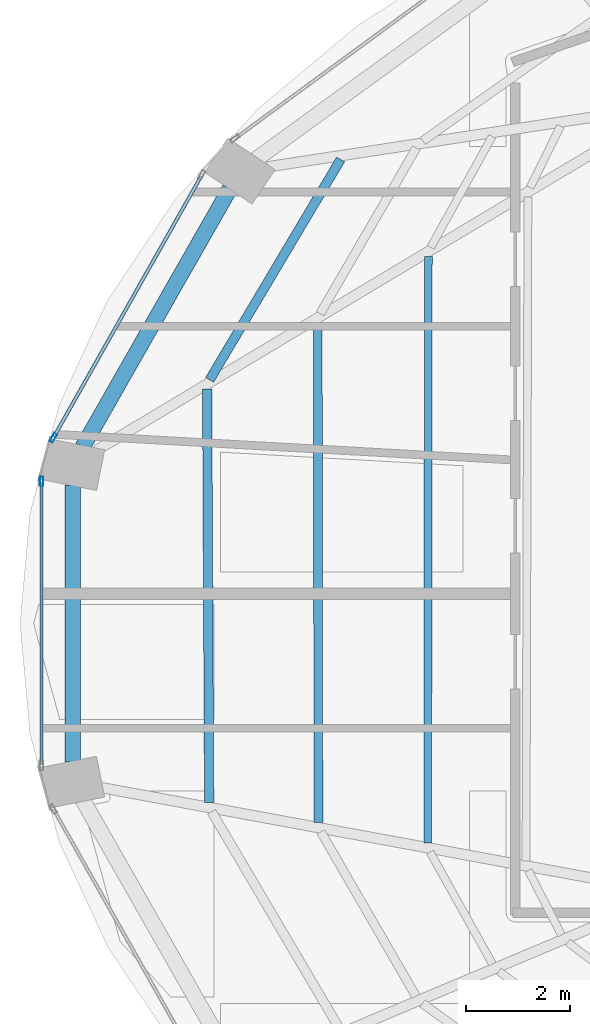
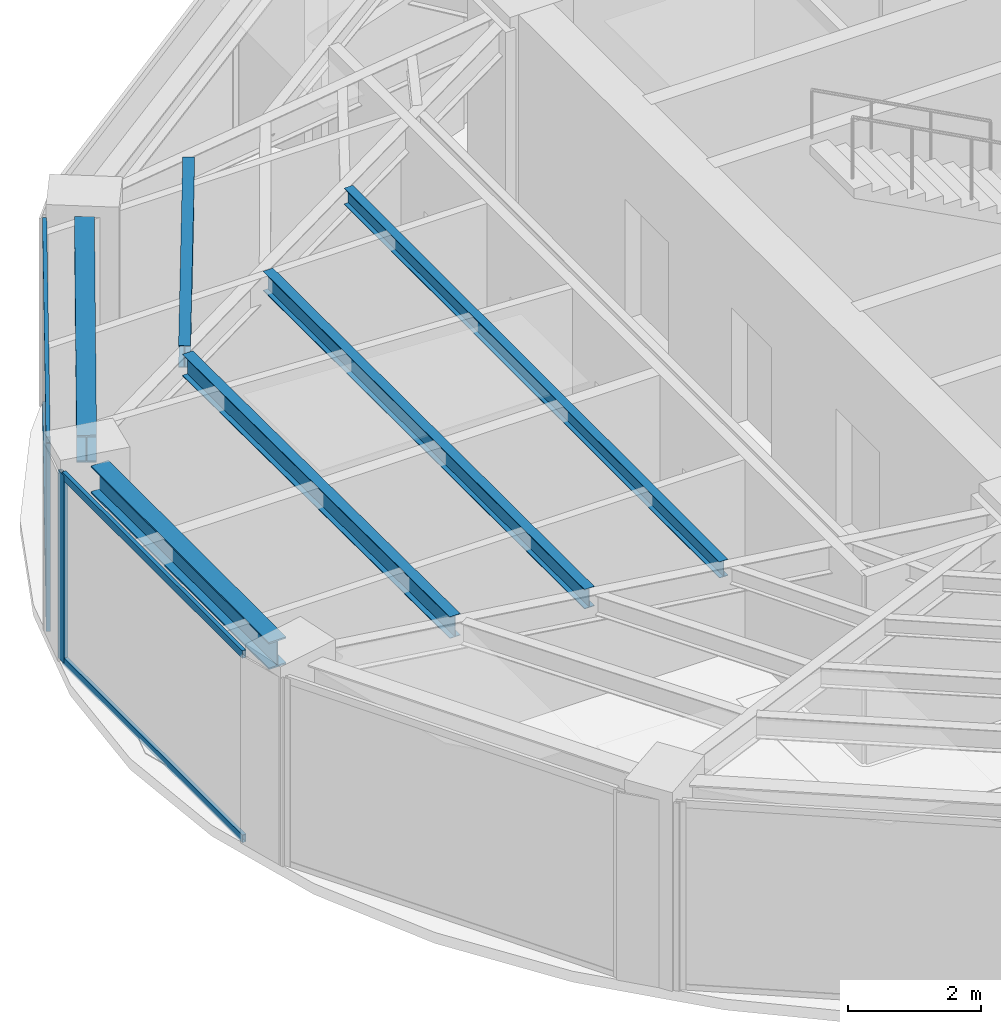
# One storey, part 8 of 23: 6 beams, 6 members, 2 elements without a shape of their own.
"""IFC4 building model written with IfcOpenShell, lengths in metres."""

from ifc_helpers import new_model, si_unit, direction, frame, origin, origin_2d, place, context, subcontext, project, spatial, hollow_rectangle, i_section, extrude, material, layer, layer_set, material_profile, profile_set, type_object, element, aggregate, save


model = new_model("IFC4")

# Units and contexts
model_context = context("Model", 3, precision=1e-05, world=origin(), true_north=direction((0.0, 1.0)))
body_context = subcontext(model_context, "Body", "Model", "MODEL_VIEW")
ifc_project = project(units=[si_unit("LENGTHUNIT", "METRE"), si_unit("AREAUNIT", "SQUARE_METRE"), si_unit("VOLUMEUNIT", "CUBIC_METRE"), si_unit("PLANEANGLEUNIT", "RADIAN"), si_unit("MASSUNIT", "GRAM", prefix="KILO")], contexts=[model_context])

# Site, building, storey
site_placement = place(None, origin())
site = spatial("IfcSite", under=ifc_project, at=site_placement, CompositionType="ELEMENT")
building_placement = place(site_placement, origin())
building = spatial("IfcBuilding", under=site, at=building_placement, Name="Lazwardi Medical Tower", CompositionType="ELEMENT")
storey_placement = place(building_placement, frame((0.0, 0.0, 209.424072265625)))
storey = spatial("IfcBuildingStorey", under=building, at=storey_placement, Name="L54", CompositionType="ELEMENT", Elevation=209.424072265625)

# Beams
ifc_material_1 = material(Name="Steel S355", Category="steel")
ifc_material_profile_1 = material_profile(ifc_material_1, i_section(OverallWidth=0.300048828125, OverallDepth=0.5, WebThickness=0.014404296875, FlangeThickness=0.028076171875, at=origin_2d()), Name="HEB 500")
ifc_profile_set_1 = profile_set([ifc_material_profile_1], Name="Steel S355")
beam_type_1 = type_object("IfcBeamType", Name="BM-RB-Z4", PredefinedType="BEAM", material=ifc_profile_set_1)
beam_1_placement = place(storey_placement, frame((17.84716796875, 33.983642578125, 3.197998046875), z_axis=(-0.495125273299, -0.868821594886, 0.0), x_axis=(0.868821594886, -0.495125273299, 0.0)))
element("IfcBeam", 1, at=beam_1_placement, inside=storey, type_object=beam_type_1, Name="Ring beam RB-05 B11 L54", PredefinedType="BEAM", context=body_context, shape_type="SweptSolid", body=[
    extrude(i_section(OverallWidth=0.300048828125, OverallDepth=0.5, WebThickness=0.014404296875, FlangeThickness=0.028076171875, at=origin_2d()), origin(), (0.0, 0.0, 1.0), 5.734130859375),
])
beam_2_placement = place(storey_placement, frame((14.81494140625, 28.27294921875, 3.197998046875), z_axis=(0.0, -1.0, 0.0), x_axis=(1.0, 0.0, 0.0)))
element("IfcBeam", 2, at=beam_2_placement, inside=storey, type_object=beam_type_1, Name="Ring beam RB-05 B12 L54", PredefinedType="BEAM", context=body_context, shape_type="SweptSolid", body=[
    extrude(i_section(OverallWidth=0.300048828125, OverallDepth=0.5, WebThickness=0.014404296875, FlangeThickness=0.028076171875, at=origin_2d()), origin(), (0.0, 0.0, 1.0), 5.345947265625),
])
ifc_material_profile_2 = material_profile(ifc_material_1, i_section(OverallWidth=0.179931640625, OverallDepth=0.39990234375, WebThickness=0.008544921875, FlangeThickness=0.013427734375, at=origin_2d()), Name="IPE 400")
ifc_profile_set_2 = profile_set([ifc_material_profile_2], Name="Steel S355")
beam_type_2 = type_object("IfcBeamType", Name="BM-SJ-01", PredefinedType="JOIST", material=ifc_profile_set_2)
beam_3_placement = place(storey_placement, frame((19.98095703125, 34.544921875, 3.248046875), z_axis=(-0.510967866251, -0.859599813668, 0.0), x_axis=(0.859599813668, -0.510967866251, 0.0)))
element("IfcBeam", 3, at=beam_3_placement, inside=storey, type_object=beam_type_2, Name="Secondary joist SJ-01 R1 B11 L54", PredefinedType="JOIST", context=body_context, shape_type="SweptSolid", body=[
    extrude(i_section(OverallWidth=0.179931640625, OverallDepth=0.39990234375, WebThickness=0.008544921875, FlangeThickness=0.013427734375, at=origin_2d()), origin(), (0.0, 0.0, 1.0), 4.94189453125),
])
beam_4_placement = place(storey_placement, frame((17.407958984375, 30.120361328125, 3.248046875), z_axis=(0.004929366644, -0.999987850598, 0.0), x_axis=(0.999987850598, 0.004929366644, 0.0)))
element("IfcBeam", 4, at=beam_4_placement, inside=storey, type_object=beam_type_2, Name="Secondary joist SJ-01 R1 B12 L54", PredefinedType="JOIST", context=body_context, shape_type="SweptSolid", body=[
    extrude(i_section(OverallWidth=0.179931640625, OverallDepth=0.39990234375, WebThickness=0.008544921875, FlangeThickness=0.013427734375, at=origin_2d()), origin(), (0.0, 0.0, 1.0), 7.973876953125),
])
ifc_material_profile_3 = material_profile(ifc_material_1, i_section(OverallWidth=0.169921875, OverallDepth=0.360107421875, WebThickness=0.008056640625, FlangeThickness=0.0126953125, at=origin_2d()), Name="IPE 360")
ifc_profile_set_3 = profile_set([ifc_material_profile_3], Name="Steel S355")
beam_type_3 = type_object("IfcBeamType", Name="BM-SJ-02", PredefinedType="JOIST", material=ifc_profile_set_3)
beam_5_placement = place(storey_placement, frame((19.541015625, 31.397705078125, 3.267822265625), z_axis=(0.001367606673, -0.999999064826, 0.0), x_axis=(0.999999064826, 0.001367606673, 0.0)))
element("IfcBeam", 5, at=beam_5_placement, inside=storey, type_object=beam_type_3, Name="Secondary joist SJ-02 R2 B12 L54", PredefinedType="JOIST", context=body_context, shape_type="SweptSolid", body=[
    extrude(i_section(OverallWidth=0.169921875, OverallDepth=0.360107421875, WebThickness=0.008056640625, FlangeThickness=0.0126953125, at=origin_2d()), origin(), (0.0, 0.0, 1.0), 9.639892578125),
])
ifc_material_profile_4 = material_profile(ifc_material_1, i_section(OverallWidth=0.14990234375, OverallDepth=0.300048828125, WebThickness=0.007080078125, FlangeThickness=0.0107421875, at=origin_2d()), Name="IPE 300")
ifc_profile_set_4 = profile_set([ifc_material_profile_4], Name="Steel S355")
beam_type_4 = type_object("IfcBeamType", Name="BM-SJ-03", PredefinedType="JOIST", material=ifc_profile_set_4)
beam_6_placement = place(storey_placement, frame((21.674072265625, 32.67529296875, 3.2978515625), z_axis=(-0.001166079235, -0.999999320129, 0.0), x_axis=(0.999999320129, -0.001166079235, 0.0)))
element("IfcBeam", 6, at=beam_6_placement, inside=storey, type_object=beam_type_4, Name="Secondary joist SJ-03 R3 B12 L54", PredefinedType="JOIST", context=body_context, shape_type="SweptSolid", body=[
    extrude(i_section(OverallWidth=0.14990234375, OverallDepth=0.300048828125, WebThickness=0.007080078125, FlangeThickness=0.0107421875, at=origin_2d()), origin(), (0.0, 0.0, 1.0), 11.305908203125),
])

# Curtain wall, member
ifc_material_2 = material(Name="Anodised bronze aluminium and solar control glazing", Category="aluminium")
ifc_layer = layer(ifc_material_2, 0.18994140625)
ifc_layer_set = layer_set([ifc_layer], Name="Anodised bronze aluminium and solar control glazing")
curtain_wall_type = type_object("IfcCurtainWallType", Name="CW-SYS-04", PredefinedType="NOTDEFINED", material=ifc_layer_set)
curtain_wall_1_placement = place(storey_placement, origin())
curtain_wall_1 = element("IfcCurtainWall", 7, at=curtain_wall_1_placement, inside=storey, type_object=curtain_wall_type, Name="L54 Unitised bronze curtain wall CW-04", PredefinedType="NOTDEFINED")
ifc_material_3 = material(Name="Anodised bronze aluminium", Category="aluminium")
ifc_material_profile_5 = material_profile(ifc_material_3, hollow_rectangle(XDim=0.06494140625, YDim=0.179931640625, WallThickness=0.00390625, at=origin_2d()), Name="ALU-MULLION 180x65x4")
ifc_profile_set_5 = profile_set([ifc_material_profile_5], Name="Anodised bronze aluminium")
member_type_1 = type_object("IfcMemberType", Name="CW-MUL-03", PredefinedType="MULLION", material=ifc_profile_set_5)
member_1_placement = place(storey_placement, frame((14.442626953125, 29.17822265625, 0.0), z_axis=(0.0, 0.0, 1.0), x_axis=(0.870651436011, -0.491900474661, 0.0)))
member_1 = element("IfcMember", 8, at=member_1_placement, type_object=member_type_1, Name="CW-04 mullion 2", PredefinedType="MULLION", context=body_context, shape_type="SweptSolid", body=[
    extrude(hollow_rectangle(XDim=0.06494140625, YDim=0.179931640625, WallThickness=0.00390625, at=origin_2d()), origin(), (0.0, 0.0, 1.0), 3.447998046875),
])

curtain_wall_2_placement = place(storey_placement, origin())
curtain_wall_2 = element("IfcCurtainWall", 9, at=curtain_wall_2_placement, inside=storey, type_object=curtain_wall_type, Name="L54 Unitised bronze curtain wall CW-04", PredefinedType="NOTDEFINED")
member_2_placement = place(storey_placement, frame((14.2158203125, 28.340576171875, 0.0), z_axis=(0.0, 0.0, 1.0), x_axis=(1.0, 0.0, 0.0)))
member_2 = element("IfcMember", 10, at=member_2_placement, type_object=member_type_1, Name="CW-04 mullion 1", PredefinedType="MULLION", context=body_context, shape_type="SweptSolid", body=[
    extrude(hollow_rectangle(XDim=0.06494140625, YDim=0.179931640625, WallThickness=0.00390625, at=origin_2d()), origin(), (0.0, 0.0, 1.0), 3.447998046875),
])

# Member
ifc_material_profile_6 = material_profile(ifc_material_3, hollow_rectangle(XDim=0.06494140625, YDim=0.139892578125, WallThickness=0.00341796875, at=origin_2d()), Name="ALU-TRANSOM 140x65x3.5")
ifc_profile_set_6 = profile_set([ifc_material_profile_6], Name="Anodised bronze aluminium")
member_type_2 = type_object("IfcMemberType", Name="CW-TRN-03", PredefinedType="USERDEFINED", material=ifc_profile_set_6)
member_3_placement = place(storey_placement, frame((17.28955078125, 34.21728515625, 0.032470703125), z_axis=(-0.491879719484, -0.87066316194, 0.0), x_axis=(0.87066316194, -0.491879719484, 0.0)))
member_3 = element("IfcMember", 11, at=member_3_placement, type_object=member_type_2, Name="CW-04 transom 1.1", ObjectType="TRANSOM", PredefinedType="USERDEFINED", context=body_context, shape_type="SweptSolid", body=[
    extrude(hollow_rectangle(XDim=0.06494140625, YDim=0.139892578125, WallThickness=0.00341796875, at=origin_2d()), origin(), (0.0, 0.0, 1.0), 5.755126953125),
])

member_4_placement = place(storey_placement, frame((17.28955078125, 34.21728515625, 3.41552734375), z_axis=(-0.491879719484, -0.87066316194, 0.0), x_axis=(0.87066316194, -0.491879719484, 0.0)))
member_4 = element("IfcMember", 12, at=member_4_placement, type_object=member_type_2, Name="CW-04 transom 1.2", ObjectType="TRANSOM", PredefinedType="USERDEFINED", context=body_context, shape_type="SweptSolid", body=[
    extrude(hollow_rectangle(XDim=0.06494140625, YDim=0.139892578125, WallThickness=0.00341796875, at=origin_2d()), origin(), (0.0, 0.0, 1.0), 5.755126953125),
])

aggregate(curtain_wall_1, [member_1, member_3, member_4])

member_5_placement = place(storey_placement, frame((14.2158203125, 28.30810546875, 0.032470703125), z_axis=(0.0, -1.0, 0.0), x_axis=(1.0, 0.0, 0.0)))
member_5 = element("IfcMember", 13, at=member_5_placement, type_object=member_type_2, Name="CW-04 transom 1.1", ObjectType="TRANSOM", PredefinedType="USERDEFINED", context=body_context, shape_type="SweptSolid", body=[
    extrude(hollow_rectangle(XDim=0.06494140625, YDim=0.139892578125, WallThickness=0.00341796875, at=origin_2d()), origin(), (0.0, 0.0, 1.0), 5.416015625),
])

member_6_placement = place(storey_placement, frame((14.2158203125, 28.30810546875, 3.41552734375), z_axis=(0.0, -1.0, 0.0), x_axis=(1.0, 0.0, 0.0)))
member_6 = element("IfcMember", 14, at=member_6_placement, type_object=member_type_2, Name="CW-04 transom 1.2", ObjectType="TRANSOM", PredefinedType="USERDEFINED", context=body_context, shape_type="SweptSolid", body=[
    extrude(hollow_rectangle(XDim=0.06494140625, YDim=0.139892578125, WallThickness=0.00341796875, at=origin_2d()), origin(), (0.0, 0.0, 1.0), 5.416015625),
])

aggregate(curtain_wall_2, [member_2, member_5, member_6])

save(model, "model.ifc")
